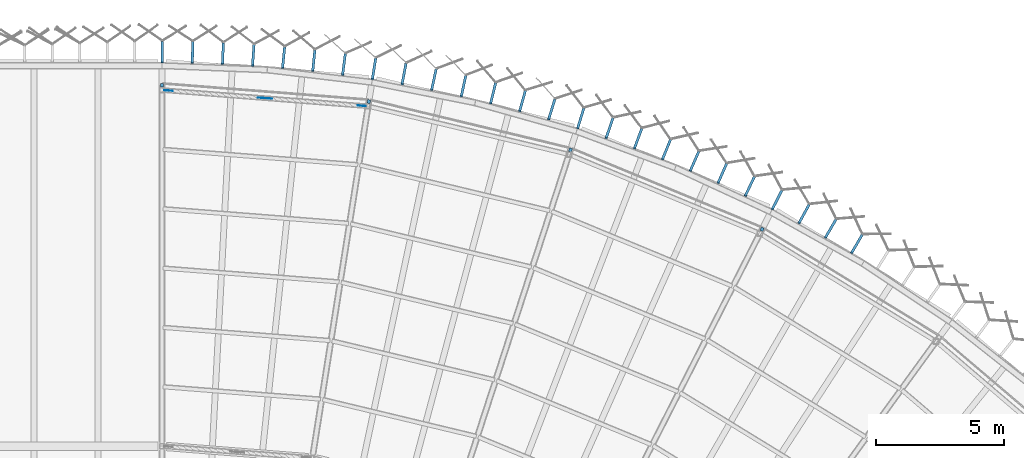
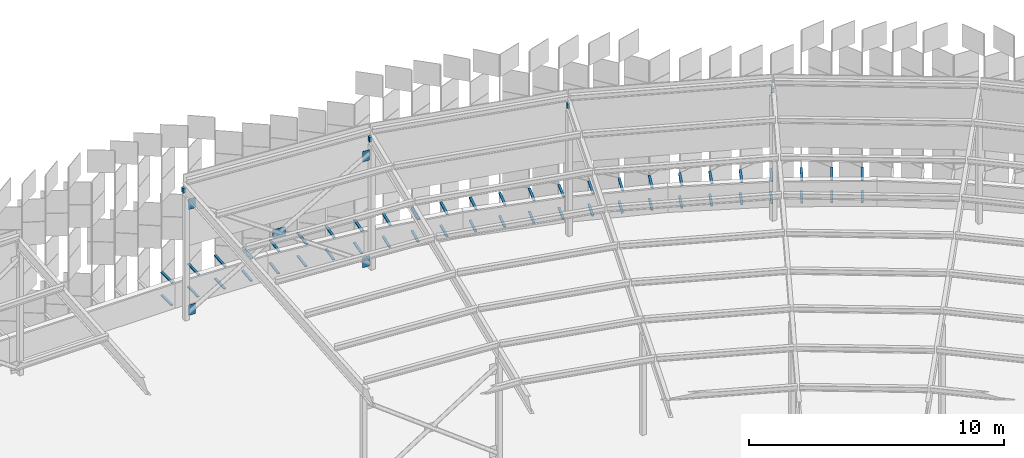
# One storey, part 457 of 483: 59 discrete accessories.
"""IFC4 building model written with IfcOpenShell, lengths in metres."""

from ifc_helpers import new_model, si_unit, direction, frame, origin, origin_2d, place, context, subcontext, project, spatial, polyline, rectangle, outline, extrude, material, layer, layer_set, type_object, element, save


model = new_model("IFC4")

# Units and contexts
model_context = context("Model", 3, precision=1e-05, world=origin(), true_north=direction((0.0, 1.0)))
body_context = subcontext(model_context, "Body", "Model", "MODEL_VIEW")
ifc_project = project(units=[si_unit("LENGTHUNIT", "METRE"), si_unit("AREAUNIT", "SQUARE_METRE"), si_unit("VOLUMEUNIT", "CUBIC_METRE"), si_unit("PLANEANGLEUNIT", "RADIAN"), si_unit("MASSUNIT", "GRAM", prefix="KILO")], contexts=[model_context])

# Site, building, storey
site_placement = place(None, origin())
site = spatial("IfcSite", under=ifc_project, at=site_placement, CompositionType="ELEMENT")
building_placement = place(site_placement, origin())
building = spatial("IfcBuilding", under=site, at=building_placement, Name="Parallax Yard Mobility Hub", CompositionType="ELEMENT")
storey_placement = place(building_placement, frame((0.0, 0.0, 13.199951171875)))
storey = spatial("IfcBuildingStorey", under=building, at=storey_placement, Name="L04", CompositionType="ELEMENT", Elevation=13.199951171875)

# Discrete accessories
ifc_material_1 = material(Name="Steel ASTM A36", Category="steel")
ifc_layer = layer(ifc_material_1, 0.011962890625)
ifc_layer_set = layer_set([ifc_layer], Name="Gusset plate PL12")
discrete_accessory_type_1 = type_object("IfcDiscreteAccessoryType", Name="Gusset plate PL12", PredefinedType="BRACKET", material=ifc_layer_set)
discrete_accessory_1_placement = place(storey_placement, frame((0.0, 0.0, 0.150146484375)))
element("IfcDiscreteAccessory", 1, at=discrete_accessory_1_placement, inside=storey, type_object=discrete_accessory_type_1, Name="Gusset plate PL12 RC bay R0-R1 foot on post R0", PredefinedType="BRACKET", context=body_context, shape_type="SweptSolid", body=[
    extrude(outline(polyline([(172.58837890625, 141.386962890625), (172.907470703125, 141.36181640625), (172.908447265625, 141.373779296875), (172.589599609375, 141.39892578125), (172.58837890625, 141.386962890625)])), origin(), (0.0, 0.0, 1.0), 0.500244140625),
])
discrete_accessory_2_placement = place(storey_placement, frame((0.0, 0.0, 5.211669921875)))
element("IfcDiscreteAccessory", 2, at=discrete_accessory_2_placement, inside=storey, type_object=discrete_accessory_type_1, Name="Gusset plate PL12 RC bay R0-R1 head on post R1", PredefinedType="BRACKET", context=body_context, shape_type="SweptSolid", body=[
    extrude(outline(polyline([(180.4521484375, 140.7802734375), (180.13330078125, 140.805419921875), (180.132080078125, 140.793212890625), (180.451171875, 140.768310546875), (180.4521484375, 140.7802734375)])), origin(), (0.0, 0.0, 1.0), 0.50048828125),
])
discrete_accessory_3_placement = place(storey_placement, frame((0.0, 0.0, 0.150146484375)))
element("IfcDiscreteAccessory", 3, at=discrete_accessory_3_placement, inside=storey, type_object=discrete_accessory_type_1, Name="Gusset plate PL12 RC bay R0-R1 foot on post R1", PredefinedType="BRACKET", context=body_context, shape_type="SweptSolid", body=[
    extrude(outline(polyline([(180.4521484375, 140.7802734375), (180.13330078125, 140.805419921875), (180.132080078125, 140.793212890625), (180.451171875, 140.768310546875), (180.4521484375, 140.7802734375)])), origin(), (0.0, 0.0, 1.0), 0.500244140625),
])
discrete_accessory_4_placement = place(storey_placement, frame((0.0, 0.0, 5.211669921875)))
element("IfcDiscreteAccessory", 4, at=discrete_accessory_4_placement, inside=storey, type_object=discrete_accessory_type_1, Name="Gusset plate PL12 RC bay R0-R1 head on post R0", PredefinedType="BRACKET", context=body_context, shape_type="SweptSolid", body=[
    extrude(outline(polyline([(172.58837890625, 141.386962890625), (172.907470703125, 141.36181640625), (172.908447265625, 141.373779296875), (172.589599609375, 141.39892578125), (172.58837890625, 141.386962890625)])), origin(), (0.0, 0.0, 1.0), 0.50048828125),
])
discrete_accessory_5_placement = place(storey_placement, frame((0.0, 0.0, 2.720947265625)))
element("IfcDiscreteAccessory", 5, at=discrete_accessory_5_placement, inside=storey, type_object=discrete_accessory_type_1, Name="Gusset plate PL12 RC bay R0-R1 crossing node", PredefinedType="BRACKET", context=body_context, shape_type="SweptSolid", body=[
    extrude(outline(polyline([(176.24072265625, 141.099609375), (176.799072265625, 141.0556640625), (176.800048828125, 141.067626953125), (176.24169921875, 141.111572265625), (176.24072265625, 141.099609375)])), origin(), (0.0, 0.0, 1.0), 0.420166015625),
])
ifc_material_2 = material(Name="Steel ASTM A36, hot-dip galvanised", Category="steel")
discrete_accessory_type_2 = type_object("IfcDiscreteAccessoryType", Name="Hinge bracket plate 100x50", PredefinedType="BRACKET", material=ifc_material_2)
discrete_accessory_6_placement = place(storey_placement, frame((199.631591796875, 135.413330078125, -0.02490234375), z_axis=(0.0, 0.0, 1.0), x_axis=(0.504116180263, 0.863635847332, 0.0)))
element("IfcDiscreteAccessory", 6, at=discrete_accessory_6_placement, inside=storey, type_object=discrete_accessory_type_2, Name="Hinge bracket plate bay 47.5 level L04", PredefinedType="BRACKET", context=body_context, shape_type="SweptSolid", body=[
    extrude(rectangle(XDim=0.80810546875, YDim=0.10009765625, at=origin_2d()), origin(), (0.0, 0.0, 1.0), 0.050048828125),
])
discrete_accessory_7_placement = place(storey_placement, frame((199.6201171875, 135.3935546875, 1.06982421875), z_axis=(0.0, 0.0, 1.0), x_axis=(0.504116180263, 0.863635847332, 0.0)))
element("IfcDiscreteAccessory", 7, at=discrete_accessory_7_placement, inside=storey, type_object=discrete_accessory_type_2, Name="Hinge bracket plate bay 47.5 level L04", PredefinedType="BRACKET", context=body_context, shape_type="SweptSolid", body=[
    extrude(rectangle(XDim=0.85400390625, YDim=0.10009765625, at=origin_2d()), origin(), (0.0, 0.0, 1.0), 0.050048828125),
])
discrete_accessory_8_placement = place(storey_placement, frame((198.6083984375, 136.0107421875, -0.02490234375), z_axis=(0.0, 0.0, 1.0), x_axis=(0.504116180263, 0.863635847332, 0.0)))
element("IfcDiscreteAccessory", 8, at=discrete_accessory_8_placement, inside=storey, type_object=discrete_accessory_type_2, Name="Hinge bracket plate bay 47.6 level L04", PredefinedType="BRACKET", context=body_context, shape_type="SweptSolid", body=[
    extrude(rectangle(XDim=0.80810546875, YDim=0.10009765625, at=origin_2d()), origin(), (0.0, 0.0, 1.0), 0.050048828125),
])
discrete_accessory_9_placement = place(storey_placement, frame((198.5966796875, 135.99072265625, 1.06982421875), z_axis=(0.0, 0.0, 1.0), x_axis=(0.504116180263, 0.863635847332, 0.0)))
element("IfcDiscreteAccessory", 9, at=discrete_accessory_9_placement, inside=storey, type_object=discrete_accessory_type_2, Name="Hinge bracket plate bay 47.6 level L04", PredefinedType="BRACKET", context=body_context, shape_type="SweptSolid", body=[
    extrude(rectangle(XDim=0.85400390625, YDim=0.10009765625, at=origin_2d()), origin(), (0.0, 0.0, 1.0), 0.050048828125),
])
discrete_accessory_10_placement = place(storey_placement, frame((197.5673828125, 136.58251953125, -0.02490234375), z_axis=(0.0, 0.0, 1.0), x_axis=(0.479249543752, 0.877678685404, 0.0)))
element("IfcDiscreteAccessory", 10, at=discrete_accessory_10_placement, inside=storey, type_object=discrete_accessory_type_2, Name="Hinge bracket plate bay 47.7 level L04", PredefinedType="BRACKET", context=body_context, shape_type="SweptSolid", body=[
    extrude(rectangle(XDim=0.80810546875, YDim=0.10009765625, at=origin_2d()), origin(), (0.0, 0.0, 1.0), 0.050048828125),
])
discrete_accessory_11_placement = place(storey_placement, frame((197.556396484375, 136.5625, 1.06982421875), z_axis=(0.0, 0.0, 1.0), x_axis=(0.479249543752, 0.877678685404, 0.0)))
element("IfcDiscreteAccessory", 11, at=discrete_accessory_11_placement, inside=storey, type_object=discrete_accessory_type_2, Name="Hinge bracket plate bay 47.7 level L04", PredefinedType="BRACKET", context=body_context, shape_type="SweptSolid", body=[
    extrude(rectangle(XDim=0.85400390625, YDim=0.10009765625, at=origin_2d()), origin(), (0.0, 0.0, 1.0), 0.050048828125),
])
discrete_accessory_12_placement = place(storey_placement, frame((196.514892578125, 137.1328125, -0.02490234375), z_axis=(0.0, 0.0, 1.0), x_axis=(0.45399049974, 0.891006524188, 0.0)))
element("IfcDiscreteAccessory", 12, at=discrete_accessory_12_placement, inside=storey, type_object=discrete_accessory_type_2, Name="Hinge bracket plate bay 48.1 level L04", PredefinedType="BRACKET", context=body_context, shape_type="SweptSolid", body=[
    extrude(rectangle(XDim=0.80810546875, YDim=0.10009765625, at=origin_2d()), origin(), (0.0, 0.0, 1.0), 0.050048828125),
])
discrete_accessory_13_placement = place(storey_placement, frame((196.50439453125, 137.1123046875, 1.06982421875), z_axis=(0.0, 0.0, 1.0), x_axis=(0.45399049974, 0.891006524188, 0.0)))
element("IfcDiscreteAccessory", 13, at=discrete_accessory_13_placement, inside=storey, type_object=discrete_accessory_type_2, Name="Hinge bracket plate bay 48.1 level L04", PredefinedType="BRACKET", context=body_context, shape_type="SweptSolid", body=[
    extrude(rectangle(XDim=0.85400390625, YDim=0.10009765625, at=origin_2d()), origin(), (0.0, 0.0, 1.0), 0.050048828125),
])
discrete_accessory_14_placement = place(storey_placement, frame((195.451171875, 137.660888671875, -0.02490234375), z_axis=(0.0, 0.0, 1.0), x_axis=(0.428361158107, 0.903607612974, 0.0)))
element("IfcDiscreteAccessory", 14, at=discrete_accessory_14_placement, inside=storey, type_object=discrete_accessory_type_2, Name="Hinge bracket plate bay 48.2 level L04", PredefinedType="BRACKET", context=body_context, shape_type="SweptSolid", body=[
    extrude(rectangle(XDim=0.80810546875, YDim=0.10009765625, at=origin_2d()), origin(), (0.0, 0.0, 1.0), 0.050048828125),
])
discrete_accessory_15_placement = place(storey_placement, frame((195.44140625, 137.64013671875, 1.06982421875), z_axis=(0.0, 0.0, 1.0), x_axis=(0.428361158107, 0.903607612974, 0.0)))
element("IfcDiscreteAccessory", 15, at=discrete_accessory_15_placement, inside=storey, type_object=discrete_accessory_type_2, Name="Hinge bracket plate bay 48.2 level L04", PredefinedType="BRACKET", context=body_context, shape_type="SweptSolid", body=[
    extrude(rectangle(XDim=0.85400390625, YDim=0.10009765625, at=origin_2d()), origin(), (0.0, 0.0, 1.0), 0.050048828125),
])
discrete_accessory_16_placement = place(storey_placement, frame((194.376708984375, 138.166748046875, -0.02490234375), z_axis=(0.0, 0.0, 1.0), x_axis=(0.402384021242, 0.915470971385, 0.0)))
element("IfcDiscreteAccessory", 16, at=discrete_accessory_16_placement, inside=storey, type_object=discrete_accessory_type_2, Name="Hinge bracket plate bay 48.3 level L04", PredefinedType="BRACKET", context=body_context, shape_type="SweptSolid", body=[
    extrude(rectangle(XDim=0.80810546875, YDim=0.10009765625, at=origin_2d()), origin(), (0.0, 0.0, 1.0), 0.050048828125),
])
discrete_accessory_17_placement = place(storey_placement, frame((194.367431640625, 138.145751953125, 1.06982421875), z_axis=(0.0, 0.0, 1.0), x_axis=(0.402384021242, 0.915470971385, 0.0)))
element("IfcDiscreteAccessory", 17, at=discrete_accessory_17_placement, inside=storey, type_object=discrete_accessory_type_2, Name="Hinge bracket plate bay 48.3 level L04", PredefinedType="BRACKET", context=body_context, shape_type="SweptSolid", body=[
    extrude(rectangle(XDim=0.85400390625, YDim=0.10009765625, at=origin_2d()), origin(), (0.0, 0.0, 1.0), 0.050048828125),
])
discrete_accessory_18_placement = place(storey_placement, frame((193.2919921875, 138.6435546875, -0.02490234375), z_axis=(0.0, 0.0, 1.0), x_axis=(0.402384021242, 0.915470971385, 0.0)))
element("IfcDiscreteAccessory", 18, at=discrete_accessory_18_placement, inside=storey, type_object=discrete_accessory_type_2, Name="Hinge bracket plate bay 48.4 level L04", PredefinedType="BRACKET", context=body_context, shape_type="SweptSolid", body=[
    extrude(rectangle(XDim=0.80810546875, YDim=0.10009765625, at=origin_2d()), origin(), (0.0, 0.0, 1.0), 0.050048828125),
])
discrete_accessory_19_placement = place(storey_placement, frame((193.28271484375, 138.62255859375, 1.06982421875), z_axis=(0.0, 0.0, 1.0), x_axis=(0.402384021242, 0.915470971385, 0.0)))
element("IfcDiscreteAccessory", 19, at=discrete_accessory_19_placement, inside=storey, type_object=discrete_accessory_type_2, Name="Hinge bracket plate bay 48.4 level L04", PredefinedType="BRACKET", context=body_context, shape_type="SweptSolid", body=[
    extrude(rectangle(XDim=0.85400390625, YDim=0.10009765625, at=origin_2d()), origin(), (0.0, 0.0, 1.0), 0.050048828125),
])
discrete_accessory_20_placement = place(storey_placement, frame((192.194091796875, 139.095947265625, -0.02490234375), z_axis=(0.0, 0.0, 1.0), x_axis=(0.37607710252, 0.92658837299, 0.0)))
element("IfcDiscreteAccessory", 20, at=discrete_accessory_20_placement, inside=storey, type_object=discrete_accessory_type_2, Name="Hinge bracket plate bay 48.5 level L04", PredefinedType="BRACKET", context=body_context, shape_type="SweptSolid", body=[
    extrude(rectangle(XDim=0.80810546875, YDim=0.10009765625, at=origin_2d()), origin(), (0.0, 0.0, 1.0), 0.050048828125),
])
discrete_accessory_21_placement = place(storey_placement, frame((192.185302734375, 139.07470703125, 1.06982421875), z_axis=(0.0, 0.0, 1.0), x_axis=(0.37607710252, 0.92658837299, 0.0)))
element("IfcDiscreteAccessory", 21, at=discrete_accessory_21_placement, inside=storey, type_object=discrete_accessory_type_2, Name="Hinge bracket plate bay 48.5 level L04", PredefinedType="BRACKET", context=body_context, shape_type="SweptSolid", body=[
    extrude(rectangle(XDim=0.85400390625, YDim=0.10009765625, at=origin_2d()), origin(), (0.0, 0.0, 1.0), 0.050048828125),
])
discrete_accessory_22_placement = place(storey_placement, frame((191.086669921875, 139.525390625, -0.02490234375), z_axis=(0.0, 0.0, 1.0), x_axis=(0.349463436287, 0.93695000224, 0.0)))
element("IfcDiscreteAccessory", 22, at=discrete_accessory_22_placement, inside=storey, type_object=discrete_accessory_type_2, Name="Hinge bracket plate bay 48.6 level L04", PredefinedType="BRACKET", context=body_context, shape_type="SweptSolid", body=[
    extrude(rectangle(XDim=0.80810546875, YDim=0.10009765625, at=origin_2d()), origin(), (0.0, 0.0, 1.0), 0.050048828125),
])
discrete_accessory_23_placement = place(storey_placement, frame((191.07861328125, 139.50390625, 1.06982421875), z_axis=(0.0, 0.0, 1.0), x_axis=(0.349463436287, 0.93695000224, 0.0)))
element("IfcDiscreteAccessory", 23, at=discrete_accessory_23_placement, inside=storey, type_object=discrete_accessory_type_2, Name="Hinge bracket plate bay 48.6 level L04", PredefinedType="BRACKET", context=body_context, shape_type="SweptSolid", body=[
    extrude(rectangle(XDim=0.85400390625, YDim=0.10009765625, at=origin_2d()), origin(), (0.0, 0.0, 1.0), 0.050048828125),
])
discrete_accessory_24_placement = place(storey_placement, frame((189.970703125, 139.931640625, -0.02490234375), z_axis=(0.0, 0.0, 1.0), x_axis=(0.322566382032, 0.946546844685, 0.0)))
element("IfcDiscreteAccessory", 24, at=discrete_accessory_24_placement, inside=storey, type_object=discrete_accessory_type_2, Name="Hinge bracket plate bay 48.7 level L04", PredefinedType="BRACKET", context=body_context, shape_type="SweptSolid", body=[
    extrude(rectangle(XDim=0.80810546875, YDim=0.10009765625, at=origin_2d()), origin(), (0.0, 0.0, 1.0), 0.050048828125),
])
discrete_accessory_25_placement = place(storey_placement, frame((189.96337890625, 139.909912109375, 1.06982421875), z_axis=(0.0, 0.0, 1.0), x_axis=(0.322566382032, 0.946546844685, 0.0)))
element("IfcDiscreteAccessory", 25, at=discrete_accessory_25_placement, inside=storey, type_object=discrete_accessory_type_2, Name="Hinge bracket plate bay 48.7 level L04", PredefinedType="BRACKET", context=body_context, shape_type="SweptSolid", body=[
    extrude(rectangle(XDim=0.85400390625, YDim=0.10009765625, at=origin_2d()), origin(), (0.0, 0.0, 1.0), 0.050048828125),
])
discrete_accessory_26_placement = place(storey_placement, frame((188.8466796875, 140.314697265625, -0.02490234375), z_axis=(0.0, 0.0, 1.0), x_axis=(0.295404591031, 0.955372245566, 0.0)))
element("IfcDiscreteAccessory", 26, at=discrete_accessory_26_placement, inside=storey, type_object=discrete_accessory_type_2, Name="Hinge bracket plate bay 49.1 level L04", PredefinedType="BRACKET", context=body_context, shape_type="SweptSolid", body=[
    extrude(rectangle(XDim=0.80810546875, YDim=0.10009765625, at=origin_2d()), origin(), (0.0, 0.0, 1.0), 0.050048828125),
])
discrete_accessory_27_placement = place(storey_placement, frame((188.83984375, 140.292724609375, 1.06982421875), z_axis=(0.0, 0.0, 1.0), x_axis=(0.295404591031, 0.955372245566, 0.0)))
element("IfcDiscreteAccessory", 27, at=discrete_accessory_27_placement, inside=storey, type_object=discrete_accessory_type_2, Name="Hinge bracket plate bay 49.1 level L04", PredefinedType="BRACKET", context=body_context, shape_type="SweptSolid", body=[
    extrude(rectangle(XDim=0.85400390625, YDim=0.10009765625, at=origin_2d()), origin(), (0.0, 0.0, 1.0), 0.050048828125),
])
discrete_accessory_28_placement = place(storey_placement, frame((187.714599609375, 140.664794921875, -0.02490234375), z_axis=(0.0, 0.0, 1.0), x_axis=(0.295404591031, 0.955372245566, 0.0)))
element("IfcDiscreteAccessory", 28, at=discrete_accessory_28_placement, inside=storey, type_object=discrete_accessory_type_2, Name="Hinge bracket plate bay 49.2 level L04", PredefinedType="BRACKET", context=body_context, shape_type="SweptSolid", body=[
    extrude(rectangle(XDim=0.80810546875, YDim=0.10009765625, at=origin_2d()), origin(), (0.0, 0.0, 1.0), 0.050048828125),
])
discrete_accessory_29_placement = place(storey_placement, frame((187.7080078125, 140.642578125, 1.06982421875), z_axis=(0.0, 0.0, 1.0), x_axis=(0.295404591031, 0.955372245566, 0.0)))
element("IfcDiscreteAccessory", 29, at=discrete_accessory_29_placement, inside=storey, type_object=discrete_accessory_type_2, Name="Hinge bracket plate bay 49.2 level L04", PredefinedType="BRACKET", context=body_context, shape_type="SweptSolid", body=[
    extrude(rectangle(XDim=0.85400390625, YDim=0.10009765625, at=origin_2d()), origin(), (0.0, 0.0, 1.0), 0.050048828125),
])
discrete_accessory_30_placement = place(storey_placement, frame((186.572998046875, 140.991943359375, -0.02490234375), z_axis=(0.0, 0.0, 1.0), x_axis=(0.268003534583, 0.963417928757, 0.0)))
element("IfcDiscreteAccessory", 30, at=discrete_accessory_30_placement, inside=storey, type_object=discrete_accessory_type_2, Name="Hinge bracket plate bay 49.3 level L04", PredefinedType="BRACKET", context=body_context, shape_type="SweptSolid", body=[
    extrude(rectangle(XDim=0.80810546875, YDim=0.10009765625, at=origin_2d()), origin(), (0.0, 0.0, 1.0), 0.050048828125),
])
discrete_accessory_31_placement = place(storey_placement, frame((186.56689453125, 140.9697265625, 1.06982421875), z_axis=(0.0, 0.0, 1.0), x_axis=(0.268003534583, 0.963417928757, 0.0)))
element("IfcDiscreteAccessory", 31, at=discrete_accessory_31_placement, inside=storey, type_object=discrete_accessory_type_2, Name="Hinge bracket plate bay 49.3 level L04", PredefinedType="BRACKET", context=body_context, shape_type="SweptSolid", body=[
    extrude(rectangle(XDim=0.85400390625, YDim=0.10009765625, at=origin_2d()), origin(), (0.0, 0.0, 1.0), 0.050048828125),
])
discrete_accessory_32_placement = place(storey_placement, frame((185.425048828125, 141.29541015625, -0.02490234375), z_axis=(0.0, 0.0, 1.0), x_axis=(0.240382213455, 0.970678315125, 0.0)))
element("IfcDiscreteAccessory", 32, at=discrete_accessory_32_placement, inside=storey, type_object=discrete_accessory_type_2, Name="Hinge bracket plate bay 49.4 level L04", PredefinedType="BRACKET", context=body_context, shape_type="SweptSolid", body=[
    extrude(rectangle(XDim=0.80810546875, YDim=0.10009765625, at=origin_2d()), origin(), (0.0, 0.0, 1.0), 0.050048828125),
])
discrete_accessory_33_placement = place(storey_placement, frame((185.41943359375, 141.27294921875, 1.06982421875), z_axis=(0.0, 0.0, 1.0), x_axis=(0.240382213455, 0.970678315125, 0.0)))
element("IfcDiscreteAccessory", 33, at=discrete_accessory_33_placement, inside=storey, type_object=discrete_accessory_type_2, Name="Hinge bracket plate bay 49.4 level L04", PredefinedType="BRACKET", context=body_context, shape_type="SweptSolid", body=[
    extrude(rectangle(XDim=0.85400390625, YDim=0.10009765625, at=origin_2d()), origin(), (0.0, 0.0, 1.0), 0.050048828125),
])
discrete_accessory_34_placement = place(storey_placement, frame((184.270751953125, 141.57470703125, -0.02490234375), z_axis=(0.0, 0.0, 1.0), x_axis=(0.212564824432, 0.977146967152, 0.0)))
element("IfcDiscreteAccessory", 34, at=discrete_accessory_34_placement, inside=storey, type_object=discrete_accessory_type_2, Name="Hinge bracket plate bay 49.5 level L04", PredefinedType="BRACKET", context=body_context, shape_type="SweptSolid", body=[
    extrude(rectangle(XDim=0.80810546875, YDim=0.10009765625, at=origin_2d()), origin(), (0.0, 0.0, 1.0), 0.050048828125),
])
discrete_accessory_35_placement = place(storey_placement, frame((184.265869140625, 141.55224609375, 1.06982421875), z_axis=(0.0, 0.0, 1.0), x_axis=(0.212564824432, 0.977146967152, 0.0)))
element("IfcDiscreteAccessory", 35, at=discrete_accessory_35_placement, inside=storey, type_object=discrete_accessory_type_2, Name="Hinge bracket plate bay 49.5 level L04", PredefinedType="BRACKET", context=body_context, shape_type="SweptSolid", body=[
    extrude(rectangle(XDim=0.85400390625, YDim=0.10009765625, at=origin_2d()), origin(), (0.0, 0.0, 1.0), 0.050048828125),
])
discrete_accessory_36_placement = place(storey_placement, frame((183.113037109375, 141.82666015625, -0.02490234375), z_axis=(0.0, 0.0, 1.0), x_axis=(0.212564824432, 0.977146967152, 0.0)))
element("IfcDiscreteAccessory", 36, at=discrete_accessory_36_placement, inside=storey, type_object=discrete_accessory_type_2, Name="Hinge bracket plate bay 49.6 level L04", PredefinedType="BRACKET", context=body_context, shape_type="SweptSolid", body=[
    extrude(rectangle(XDim=0.80810546875, YDim=0.10009765625, at=origin_2d()), origin(), (0.0, 0.0, 1.0), 0.050048828125),
])
discrete_accessory_37_placement = place(storey_placement, frame((183.108154296875, 141.80419921875, 1.06982421875), z_axis=(0.0, 0.0, 1.0), x_axis=(0.212564824432, 0.977146967152, 0.0)))
element("IfcDiscreteAccessory", 37, at=discrete_accessory_37_placement, inside=storey, type_object=discrete_accessory_type_2, Name="Hinge bracket plate bay 49.6 level L04", PredefinedType="BRACKET", context=body_context, shape_type="SweptSolid", body=[
    extrude(rectangle(XDim=0.85400390625, YDim=0.10009765625, at=origin_2d()), origin(), (0.0, 0.0, 1.0), 0.050048828125),
])
discrete_accessory_38_placement = place(storey_placement, frame((181.9462890625, 142.048828125, -0.02490234375), z_axis=(0.0, 0.0, 1.0), x_axis=(0.184575772126, 0.982818286533, 0.0)))
element("IfcDiscreteAccessory", 38, at=discrete_accessory_38_placement, inside=storey, type_object=discrete_accessory_type_2, Name="Hinge bracket plate bay 49.7 level L04", PredefinedType="BRACKET", context=body_context, shape_type="SweptSolid", body=[
    extrude(rectangle(XDim=0.80810546875, YDim=0.10009765625, at=origin_2d()), origin(), (0.0, 0.0, 1.0), 0.050048828125),
])
discrete_accessory_39_placement = place(storey_placement, frame((181.942138671875, 142.026123046875, 1.06982421875), z_axis=(0.0, 0.0, 1.0), x_axis=(0.184575772126, 0.982818286533, 0.0)))
element("IfcDiscreteAccessory", 39, at=discrete_accessory_39_placement, inside=storey, type_object=discrete_accessory_type_2, Name="Hinge bracket plate bay 49.7 level L04", PredefinedType="BRACKET", context=body_context, shape_type="SweptSolid", body=[
    extrude(rectangle(XDim=0.85400390625, YDim=0.10009765625, at=origin_2d()), origin(), (0.0, 0.0, 1.0), 0.050048828125),
])
discrete_accessory_40_placement = place(storey_placement, frame((180.775390625, 142.246826171875, -0.02490234375), z_axis=(0.0, 0.0, 1.0), x_axis=(0.15643446504, 0.987688340595, 0.0)))
element("IfcDiscreteAccessory", 40, at=discrete_accessory_40_placement, inside=storey, type_object=discrete_accessory_type_2, Name="Hinge bracket plate bay 50.1 level L04", PredefinedType="BRACKET", context=body_context, shape_type="SweptSolid", body=[
    extrude(rectangle(XDim=0.80810546875, YDim=0.10009765625, at=origin_2d()), origin(), (0.0, 0.0, 1.0), 0.050048828125),
])
discrete_accessory_41_placement = place(storey_placement, frame((180.771728515625, 142.22412109375, 1.06982421875), z_axis=(0.0, 0.0, 1.0), x_axis=(0.15643446504, 0.987688340595, 0.0)))
element("IfcDiscreteAccessory", 41, at=discrete_accessory_41_placement, inside=storey, type_object=discrete_accessory_type_2, Name="Hinge bracket plate bay 50.1 level L04", PredefinedType="BRACKET", context=body_context, shape_type="SweptSolid", body=[
    extrude(rectangle(XDim=0.85400390625, YDim=0.10009765625, at=origin_2d()), origin(), (0.0, 0.0, 1.0), 0.050048828125),
])
discrete_accessory_42_placement = place(storey_placement, frame((179.600830078125, 142.42041015625, -0.02490234375), z_axis=(0.0, 0.0, 1.0), x_axis=(0.12816556209, 0.991752786078, 0.0)))
element("IfcDiscreteAccessory", 42, at=discrete_accessory_42_placement, inside=storey, type_object=discrete_accessory_type_2, Name="Hinge bracket plate bay 50.2 level L04", PredefinedType="BRACKET", context=body_context, shape_type="SweptSolid", body=[
    extrude(rectangle(XDim=0.80810546875, YDim=0.10009765625, at=origin_2d()), origin(), (0.0, 0.0, 1.0), 0.050048828125),
])
discrete_accessory_43_placement = place(storey_placement, frame((179.597900390625, 142.397705078125, 1.06982421875), z_axis=(0.0, 0.0, 1.0), x_axis=(0.12816556209, 0.991752786078, 0.0)))
element("IfcDiscreteAccessory", 43, at=discrete_accessory_43_placement, inside=storey, type_object=discrete_accessory_type_2, Name="Hinge bracket plate bay 50.2 level L04", PredefinedType="BRACKET", context=body_context, shape_type="SweptSolid", body=[
    extrude(rectangle(XDim=0.85400390625, YDim=0.10009765625, at=origin_2d()), origin(), (0.0, 0.0, 1.0), 0.050048828125),
])
discrete_accessory_44_placement = place(storey_placement, frame((178.422607421875, 142.569580078125, -0.02490234375), z_axis=(0.0, 0.0, 1.0), x_axis=(0.099793857441, 0.995008133644, 0.0)))
element("IfcDiscreteAccessory", 44, at=discrete_accessory_44_placement, inside=storey, type_object=discrete_accessory_type_2, Name="Hinge bracket plate bay 50.3 level L04", PredefinedType="BRACKET", context=body_context, shape_type="SweptSolid", body=[
    extrude(rectangle(XDim=0.80810546875, YDim=0.10009765625, at=origin_2d()), origin(), (0.0, 0.0, 1.0), 0.050048828125),
])
discrete_accessory_45_placement = place(storey_placement, frame((178.42041015625, 142.546630859375, 1.06982421875), z_axis=(0.0, 0.0, 1.0), x_axis=(0.099793857441, 0.995008133644, 0.0)))
element("IfcDiscreteAccessory", 45, at=discrete_accessory_45_placement, inside=storey, type_object=discrete_accessory_type_2, Name="Hinge bracket plate bay 50.3 level L04", PredefinedType="BRACKET", context=body_context, shape_type="SweptSolid", body=[
    extrude(rectangle(XDim=0.85400390625, YDim=0.10009765625, at=origin_2d()), origin(), (0.0, 0.0, 1.0), 0.050048828125),
])
discrete_accessory_46_placement = place(storey_placement, frame((177.243896484375, 142.687744140625, -0.02490234375), z_axis=(0.0, 0.0, 1.0), x_axis=(0.099793857441, 0.995008133644, 0.0)))
element("IfcDiscreteAccessory", 46, at=discrete_accessory_46_placement, inside=storey, type_object=discrete_accessory_type_2, Name="Hinge bracket plate bay 50.4 level L04", PredefinedType="BRACKET", context=body_context, shape_type="SweptSolid", body=[
    extrude(rectangle(XDim=0.80810546875, YDim=0.10009765625, at=origin_2d()), origin(), (0.0, 0.0, 1.0), 0.050048828125),
])
discrete_accessory_47_placement = place(storey_placement, frame((177.24169921875, 142.664794921875, 1.06982421875), z_axis=(0.0, 0.0, 1.0), x_axis=(0.099793857441, 0.995008133644, 0.0)))
element("IfcDiscreteAccessory", 47, at=discrete_accessory_47_placement, inside=storey, type_object=discrete_accessory_type_2, Name="Hinge bracket plate bay 50.4 level L04", PredefinedType="BRACKET", context=body_context, shape_type="SweptSolid", body=[
    extrude(rectangle(XDim=0.85400390625, YDim=0.10009765625, at=origin_2d()), origin(), (0.0, 0.0, 1.0), 0.050048828125),
])
discrete_accessory_48_placement = place(storey_placement, frame((176.06005859375, 142.778564453125, -0.02490234375), z_axis=(0.0, 0.0, 1.0), x_axis=(0.071339024937, 0.997452125929, 0.0)))
element("IfcDiscreteAccessory", 48, at=discrete_accessory_48_placement, inside=storey, type_object=discrete_accessory_type_2, Name="Hinge bracket plate bay 50.5 level L04", PredefinedType="BRACKET", context=body_context, shape_type="SweptSolid", body=[
    extrude(rectangle(XDim=0.80810546875, YDim=0.10009765625, at=origin_2d()), origin(), (0.0, 0.0, 1.0), 0.050048828125),
])
discrete_accessory_49_placement = place(storey_placement, frame((176.058349609375, 142.755615234375, 1.06982421875), z_axis=(0.0, 0.0, 1.0), x_axis=(0.071339024937, 0.997452125929, 0.0)))
element("IfcDiscreteAccessory", 49, at=discrete_accessory_49_placement, inside=storey, type_object=discrete_accessory_type_2, Name="Hinge bracket plate bay 50.5 level L04", PredefinedType="BRACKET", context=body_context, shape_type="SweptSolid", body=[
    extrude(rectangle(XDim=0.85400390625, YDim=0.10009765625, at=origin_2d()), origin(), (0.0, 0.0, 1.0), 0.050048828125),
])
discrete_accessory_50_placement = place(storey_placement, frame((174.87451171875, 142.844970703125, -0.02490234375), z_axis=(0.0, 0.0, 1.0), x_axis=(0.042826004716, 0.999082545799, 0.0)))
element("IfcDiscreteAccessory", 50, at=discrete_accessory_50_placement, inside=storey, type_object=discrete_accessory_type_2, Name="Hinge bracket plate bay 50.6 level L04", PredefinedType="BRACKET", context=body_context, shape_type="SweptSolid", body=[
    extrude(rectangle(XDim=0.80810546875, YDim=0.10009765625, at=origin_2d()), origin(), (0.0, 0.0, 1.0), 0.050048828125),
])
discrete_accessory_51_placement = place(storey_placement, frame((174.87353515625, 142.822021484375, 1.06982421875), z_axis=(0.0, 0.0, 1.0), x_axis=(0.042826004716, 0.999082545799, 0.0)))
element("IfcDiscreteAccessory", 51, at=discrete_accessory_51_placement, inside=storey, type_object=discrete_accessory_type_2, Name="Hinge bracket plate bay 50.6 level L04", PredefinedType="BRACKET", context=body_context, shape_type="SweptSolid", body=[
    extrude(rectangle(XDim=0.85400390625, YDim=0.10009765625, at=origin_2d()), origin(), (0.0, 0.0, 1.0), 0.050048828125),
])
discrete_accessory_52_placement = place(storey_placement, frame((173.687744140625, 142.88671875, -0.02490234375), z_axis=(0.0, 0.0, 1.0), x_axis=(0.01427979859, 0.999898038478, 0.0)))
element("IfcDiscreteAccessory", 52, at=discrete_accessory_52_placement, inside=storey, type_object=discrete_accessory_type_2, Name="Hinge bracket plate bay 50.7 level L04", PredefinedType="BRACKET", context=body_context, shape_type="SweptSolid", body=[
    extrude(rectangle(XDim=0.80810546875, YDim=0.10009765625, at=origin_2d()), origin(), (0.0, 0.0, 1.0), 0.050048828125),
])
discrete_accessory_53_placement = place(storey_placement, frame((173.6875, 142.863525390625, 1.06982421875), z_axis=(0.0, 0.0, 1.0), x_axis=(0.01427979859, 0.999898038478, 0.0)))
element("IfcDiscreteAccessory", 53, at=discrete_accessory_53_placement, inside=storey, type_object=discrete_accessory_type_2, Name="Hinge bracket plate bay 50.7 level L04", PredefinedType="BRACKET", context=body_context, shape_type="SweptSolid", body=[
    extrude(rectangle(XDim=0.85400390625, YDim=0.10009765625, at=origin_2d()), origin(), (0.0, 0.0, 1.0), 0.050048828125),
])
discrete_accessory_54_placement = place(storey_placement, frame((172.501953125, 142.903564453125, -0.02490234375), z_axis=(0.0, 0.0, 1.0), x_axis=(0.0, 1.0, 0.0)))
element("IfcDiscreteAccessory", 54, at=discrete_accessory_54_placement, inside=storey, type_object=discrete_accessory_type_2, Name="Hinge bracket plate bay 51.1 level L04", PredefinedType="BRACKET", context=body_context, shape_type="SweptSolid", body=[
    extrude(rectangle(XDim=0.80810546875, YDim=0.10009765625, at=origin_2d()), origin(), (0.0, 0.0, 1.0), 0.050048828125),
])
discrete_accessory_55_placement = place(storey_placement, frame((172.501953125, 142.880615234375, 1.06982421875), z_axis=(0.0, 0.0, 1.0), x_axis=(0.0, 1.0, 0.0)))
element("IfcDiscreteAccessory", 55, at=discrete_accessory_55_placement, inside=storey, type_object=discrete_accessory_type_2, Name="Hinge bracket plate bay 51.1 level L04", PredefinedType="BRACKET", context=body_context, shape_type="SweptSolid", body=[
    extrude(rectangle(XDim=0.85400390625, YDim=0.10009765625, at=origin_2d()), origin(), (0.0, 0.0, 1.0), 0.050048828125),
])
discrete_accessory_type_3 = type_object("IfcDiscreteAccessoryType", Name="Valance bracket plate", PredefinedType="BRACKET", material=ifc_material_2)
for number, where, z_axis, x_axis, name in (
    (56, (172.5, 141.590087890625, 5.961181640625), (0.0, 0.0, 1.0), (0.0, 1.0, 0.0), "Valance bracket plate R0"),
    (57, (180.5703125, 140.954833984375, 5.961181640625), (0.0, 0.0, 1.0), (0.15643446504, 0.987688340595, 0.0), "Valance bracket plate R1"),
    (58, (188.442138671875, 139.06494140625, 5.961181640625), (0.0, 0.0, 1.0), (0.309016994375, 0.951056516295, 0.0), "Valance bracket plate R2"),
    (59, (195.92138671875, 135.967041015625, 5.961181640625), (0.0, 0.0, 1.0), (0.45399049974, 0.891006524188, 0.0), "Valance bracket plate R3"),
):
    element("IfcDiscreteAccessory", number, at=place(storey_placement, frame(where, z_axis=z_axis, x_axis=x_axis)), inside=storey, type_object=discrete_accessory_type_3, Name=name, PredefinedType="BRACKET", context=body_context, shape_type="SweptSolid", body=[
        extrude(rectangle(XDim=0.139892578125, YDim=0.1201171875, at=origin_2d()), origin(), (0.0, 0.0, 1.0), 0.22998046875),
    ])

save(model, "model.ifc")
